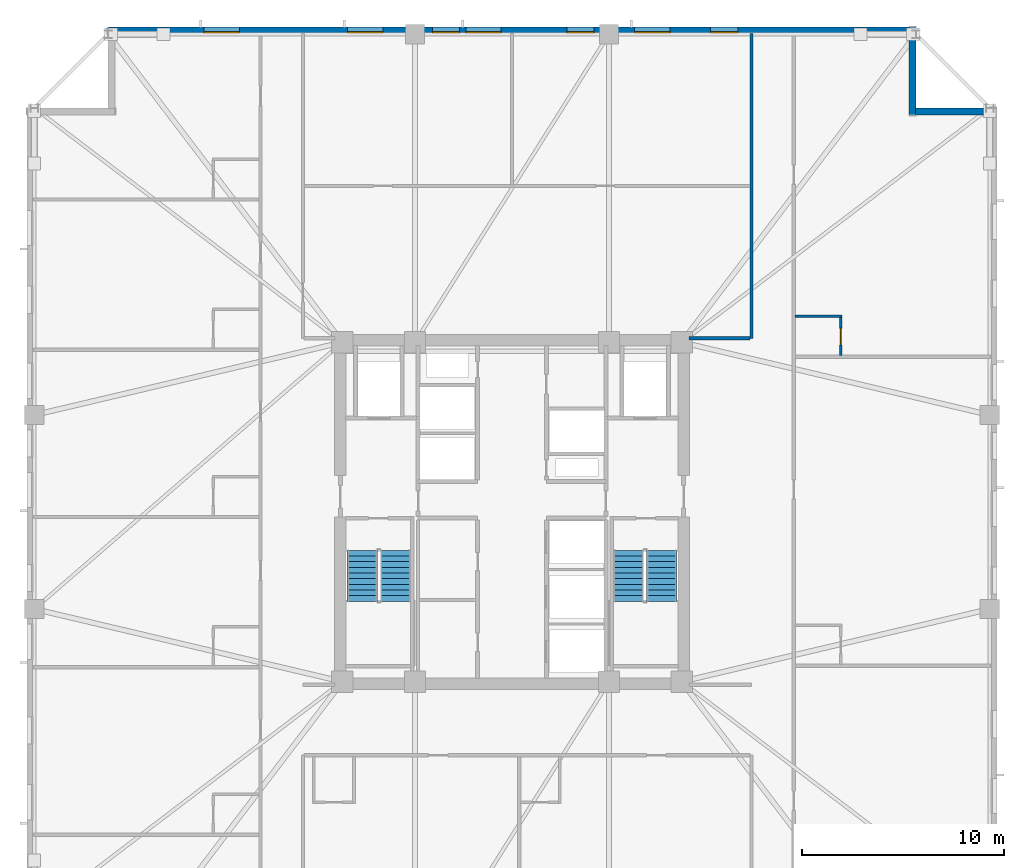
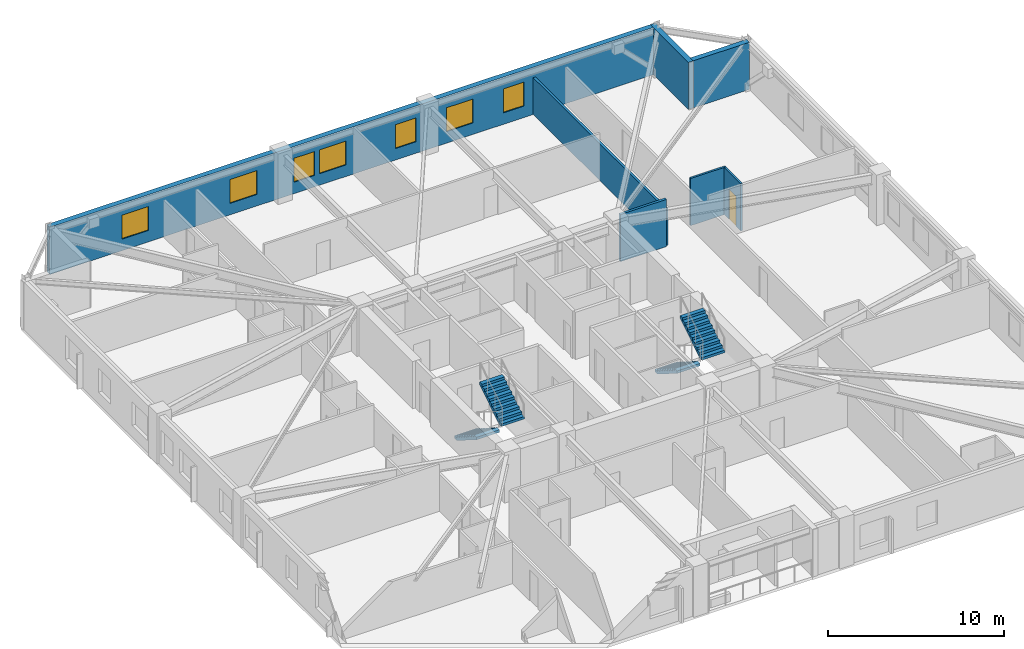
# One storey, part 6 of 11: 7 walls, 7 windows, 4 stair flights, 1 door, 8 openings, 2 elements without a shape of their own.
"""IFC4 building model written with IfcOpenShell, lengths in metres."""

import ifcopenshell
import ifcopenshell.guid

model = None  # the IFC model being written
_history = None  # IfcOwnerHistory: only IFC2X3 demands one
_inside = {}  # id of a spatial element -> (the spatial element, [elements in it])
_under = {}  # id of a project, library or spatial element -> (it, [spatial elements below it])
_declared = {}  # id of a project -> (the project, [libraries it declares])
_typed = {}  # id of a type object -> (the type object, [elements of that type])
_made_of = {}  # id of a material, layer set ... -> (it, [elements and type objects made of it])


def new_model(schema):
    """Start an empty IFC model of exactly this schema.

    Asked for "IFC4X3", IfcOpenShell would pick the latest addendum, in which some entities
    have other attributes; the version numbers below select the first issue.
    IFC2X3 requires an IfcOwnerHistory on every rooted entity: one is made here for all.
    """
    global model, _history
    if schema == "IFC4X3":
        model = ifcopenshell.file(schema_version=(4, 3, 0, 0))
    else:
        model = ifcopenshell.file(schema=schema)
    _inside.clear()
    _under.clear()
    _declared.clear()
    _typed.clear()
    _made_of.clear()
    _history = None
    if model.schema == "IFC2X3":
        org = make("IfcOrganization", Name="unknown")
        user = make(
            "IfcPersonAndOrganization",
            ThePerson=make("IfcPerson", FamilyName="unknown"),
            TheOrganization=org,
        )
        app = make(
            "IfcApplication",
            ApplicationDeveloper=org,
            Version="unknown",
            ApplicationFullName="unknown",
            ApplicationIdentifier="unknown",
        )
        _history = make(
            "IfcOwnerHistory",
            OwningUser=user,
            OwningApplication=app,
            ChangeAction="ADDED",
            CreationDate=0,
        )
    return model


def make(cls, **values):
    """One entity of the class cls with the attributes given. An attribute that is None is left unset."""
    return model.create_entity(
        cls, **{name: value for name, value in values.items() if value is not None}
    )


def rooted(cls, **values):
    """An entity with a GlobalId (a new one), such as an element, a storey or a relation."""
    return make(cls, GlobalId=ifcopenshell.guid.new(), OwnerHistory=_history, **values)


def si_unit(unit_type, name, prefix=None):
    """IfcSIUnit, for example si_unit("LENGTHUNIT", "METRE", prefix="MILLI")."""
    return make("IfcSIUnit", UnitType=unit_type, Prefix=prefix, Name=name)


def assignment(units):
    """IfcUnitAssignment: the units of a project."""
    return None if units is None else make("IfcUnitAssignment", Units=units)


def point(xyz):
    """IfcCartesianPoint."""
    return None if xyz is None else make("IfcCartesianPoint", Coordinates=xyz)


def direction(xyz):
    """IfcDirection."""
    return None if xyz is None else make("IfcDirection", DirectionRatios=xyz)


def frame(location, z_axis=None, x_axis=None):
    """IfcAxis2Placement3D, a coordinate frame: its origin and axes. An axis left out is left unset."""
    return make(
        "IfcAxis2Placement3D",
        Location=point(location),
        Axis=direction(z_axis),
        RefDirection=direction(x_axis),
    )


def frame_2d(location, x_axis=None):
    """IfcAxis2Placement2D, a coordinate frame in the plane: its origin and x axis."""
    return make(
        "IfcAxis2Placement2D", Location=point(location), RefDirection=direction(x_axis)
    )


def origin():
    """The frame at (0, 0, 0) with its axes left unset."""
    return frame((0.0, 0.0, 0.0))


def place(relative_to, where):
    """IfcLocalPlacement: puts the frame where relative to a parent placement (None: the world)."""
    return make(
        "IfcLocalPlacement", PlacementRelTo=relative_to, RelativePlacement=where
    )


def context(
    kind, dimensions, precision=None, world=None, true_north=None, identifier=None
):
    """IfcGeometricRepresentationContext, for example the 3D "Model" context."""
    return make(
        "IfcGeometricRepresentationContext",
        ContextIdentifier=identifier,
        ContextType=kind,
        CoordinateSpaceDimension=dimensions,
        Precision=precision,
        WorldCoordinateSystem=world,
        TrueNorth=true_north,
    )


def subcontext(parent, identifier, kind, view, scale=None):
    """IfcGeometricRepresentationSubContext, for example "Body" below "Model"."""
    return make(
        "IfcGeometricRepresentationSubContext",
        ContextIdentifier=identifier,
        ContextType=kind,
        ParentContext=parent,
        TargetScale=scale,
        TargetView=view,
    )


def project(units=None, contexts=None):
    """IfcProject with its units and contexts."""
    return rooted(
        "IfcProject",
        Name="project",
        RepresentationContexts=contexts,
        UnitsInContext=assignment(units),
    )


def spatial(cls, under=None, at=None, **own):
    """A site, building, storey or space (cls), placed at a placement, below another one or the project."""
    s = rooted(cls, ObjectPlacement=at, **own)
    if under is not None:
        _under.setdefault(under.id(), (under, []))[1].append(s)
    return s


def polyline(points):
    """IfcPolyline through the points."""
    return make("IfcPolyline", Points=[point(p) for p in points])


def profile(cls, at=None, kind="AREA", **sizes):
    """A parametric profile (cls). Its sizes go by their IFC names, for example OverallWidth=200.0."""
    return make(cls, ProfileType=kind, Position=at, **sizes)


def rectangle(**sizes):
    """IfcRectangleProfileDef."""
    return profile("IfcRectangleProfileDef", **sizes)


def outline(outer, holes=None, kind="AREA"):
    """IfcArbitraryClosedProfileDef: a profile drawn as a closed curve; with holes, ...WithVoids."""
    if holes is None:
        return make("IfcArbitraryClosedProfileDef", ProfileType=kind, OuterCurve=outer)
    return make(
        "IfcArbitraryProfileDefWithVoids",
        ProfileType=kind,
        OuterCurve=outer,
        InnerCurves=holes,
    )


def extrude(swept, where, along, depth):
    """IfcExtrudedAreaSolid: the profile swept, set in the frame where, extruded along a direction by depth."""
    return make(
        "IfcExtrudedAreaSolid",
        SweptArea=swept,
        Position=where,
        ExtrudedDirection=direction(along),
        Depth=depth,
    )


def shape(context_of_items, identifier, shape_type, items):
    """IfcShapeRepresentation: the items that make up one representation, for example the "Body"."""
    return make(
        "IfcShapeRepresentation",
        ContextOfItems=context_of_items,
        RepresentationIdentifier=identifier,
        RepresentationType=shape_type,
        Items=items,
    )


def material(Name=None, Category=None):
    """IfcMaterial."""
    return make("IfcMaterial", Name=Name, Category=Category)


def layer(
    of_material, thickness, ventilated=None, Name=None, Category=None, Priority=None
):
    """IfcMaterialLayer: one layer of a wall or slab, of a material (None: an air gap)."""
    return make(
        "IfcMaterialLayer",
        Material=of_material,
        LayerThickness=thickness,
        IsVentilated=ventilated,
        Name=Name,
        Category=Category,
        Priority=Priority,
    )


def layer_set(layers, Name=None):
    """IfcMaterialLayerSet."""
    return make("IfcMaterialLayerSet", MaterialLayers=layers, LayerSetName=Name)


def made_of(thing, what):
    """Note that an element or type object is made of a material, layer set ...; save() writes the relation."""
    if what is not None:
        _made_of.setdefault(what.id(), (what, []))[1].append(thing)
    return thing


def type_object(cls, material=None, **own):
    """A type object (cls), such as IfcWallType, which elements share."""
    return made_of(rooted(cls, **own), material)


def element(
    cls,
    number,
    at=None,
    inside=None,
    cuts=None,
    type_object=None,
    material=None,
    context=None,
    identifier="Body",
    shape_type=None,
    held_by="IfcProductDefinitionShape",
    body=None,
    shapes=None,
    **own,
):
    """One element of the class cls, such as IfcWall. Its Tag is "e" and its number.

    at: its placement. inside: the storey or other place that contains it. cuts: it is an
    opening in that element (IfcRelVoidsElement). A single representation is given by context,
    identifier, shape_type and body (its items); several are given by shapes. held_by: the class
    of the entity that holds the representations. save() writes the other relations.
    """
    e = rooted(cls, Tag="e%d" % number, ObjectPlacement=at, **own)
    if body is not None:
        shapes = [shape(context, identifier, shape_type, body)]
    if shapes is not None:
        e.Representation = make(held_by, Representations=shapes)
    if inside is not None:
        _inside.setdefault(inside.id(), (inside, []))[1].append(e)
    if cuts is not None:
        rooted(
            "IfcRelVoidsElement", RelatingBuildingElement=cuts, RelatedOpeningElement=e
        )
    if type_object is not None:
        _typed.setdefault(type_object.id(), (type_object, []))[1].append(e)
    return made_of(e, material)


def fill(opening, filler):
    """IfcRelFillsElement: the door or window that sits in an opening."""
    return rooted(
        "IfcRelFillsElement",
        RelatingOpeningElement=opening,
        RelatedBuildingElement=filler,
    )


def aggregate(whole, parts):
    """IfcRelAggregates: a whole, such as a stair, and the parts it consists of."""
    return rooted("IfcRelAggregates", RelatingObject=whole, RelatedObjects=parts)


def save(model, path):
    """Write the relations noted so far, then the file.

    IfcRelAggregates (storeys below a building ...), IfcRelContainedInSpatialStructure (elements
    in a storey), IfcRelDefinesByType, IfcRelAssociatesMaterial and IfcRelDeclares: one each for
    every whole, place, type object, material and project.
    """
    for whole, parts in _under.values():
        aggregate(whole, parts)
    for where, things in _inside.values():
        rooted(
            "IfcRelContainedInSpatialStructure",
            RelatedElements=things,
            RelatingStructure=where,
        )
    for kind, things in _typed.values():
        rooted("IfcRelDefinesByType", RelatedObjects=things, RelatingType=kind)
    for what, things in _made_of.values():
        rooted("IfcRelAssociatesMaterial", RelatedObjects=things, RelatingMaterial=what)
    for by, libraries in _declared.values():
        rooted("IfcRelDeclares", RelatingContext=by, RelatedDefinitions=libraries)
    model.write(path)


model = new_model("IFC4")

# Units and contexts
model_context = context("Model", 3, precision=1e-05, world=origin(), true_north=direction((0.0, 1.0)))
body_context = subcontext(model_context, "Body", "Model", "MODEL_VIEW")
ifc_project = project(units=[si_unit("LENGTHUNIT", "METRE"), si_unit("AREAUNIT", "SQUARE_METRE"), si_unit("VOLUMEUNIT", "CUBIC_METRE"), si_unit("PLANEANGLEUNIT", "RADIAN"), si_unit("MASSUNIT", "GRAM", prefix="KILO")], contexts=[model_context])

# Site, building, storey
site_placement = place(None, origin())
site = spatial("IfcSite", under=ifc_project, at=site_placement, CompositionType="ELEMENT")
building_placement = place(site_placement, origin())
building = spatial("IfcBuilding", under=site, at=building_placement, Name="Cairnveth Concourse Tower", CompositionType="ELEMENT")
storey_placement = place(building_placement, frame((0.0, 0.0, 151.5)))
storey = spatial("IfcBuildingStorey", under=building, at=storey_placement, Name="L41", CompositionType="ELEMENT", Elevation=151.5)

# Walls
ifc_material_1 = material(Name="Gypsum Plasterboard Partition", Category="gypsum")
ifc_layer_1 = layer(ifc_material_1, 0.159912109375)
ifc_layer_set_1 = layer_set([ifc_layer_1], Name="Gypsum Plasterboard Partition")
wall_type_1 = type_object("IfcWallType", Name="ACOUSTIC PARTY WALL 180", PredefinedType="PARTITIONING", material=ifc_layer_set_1)
wall_1_placement = place(storey_placement, frame((63.85009765625, 47.60009765625, 0.0), z_axis=(0.0, 0.0, 1.0), x_axis=(0.0, 1.0, 0.0)))
element("IfcWall", 1, at=wall_1_placement, inside=storey, type_object=wall_type_1, Name="Interior Wall IW-L41-043", PredefinedType="PARTITIONING", context=body_context, shape_type="SweptSolid", body=[
    extrude(rectangle(XDim=15.074951171875, YDim=0.159912109375, at=frame_2d((7.53759765625, 0.0))), origin(), (0.0, 0.0, 1.0), 2.554931640625),
])
wall_2_placement = place(storey_placement, frame((60.764892578125, 47.60009765625, 0.0), z_axis=(0.0, 0.0, 1.0), x_axis=(1.0, 0.0, 0.0)))
element("IfcWall", 2, at=wall_2_placement, inside=storey, type_object=wall_type_1, Name="Interior Wall IW-L41-045", PredefinedType="PARTITIONING", context=body_context, shape_type="SweptSolid", body=[
    extrude(rectangle(XDim=3.02001953125, YDim=0.159912109375, at=frame_2d((1.510009765625, 0.0))), origin(), (0.0, 0.0, 1.0), 3.280029296875),
])
ifc_layer_2 = layer(ifc_material_1, 0.1298828125)
ifc_layer_set_2 = layer_set([ifc_layer_2], Name="Gypsum Plasterboard Partition")
wall_type_2 = type_object("IfcWallType", Name="WET AREA PARTITION 140", PredefinedType="PLUMBINGWALL", material=ifc_layer_set_2)
wall_3_placement = place(storey_placement, frame((66.014892578125, 48.6845703125, 0.0), z_axis=(0.0, 0.0, 1.0), x_axis=(1.0, 0.0, 0.0)))
element("IfcWall", 3, at=wall_3_placement, inside=storey, type_object=wall_type_2, Name="Interior Wall IW-L41-080", PredefinedType="PLUMBINGWALL", context=body_context, shape_type="SweptSolid", body=[
    extrude(rectangle(XDim=2.315185546875, YDim=0.1298828125, at=frame_2d((1.15771484375, 0.0))), origin(), (0.0, 0.0, 1.0), 3.280029296875),
])

# Wall, opening, door
wall_4_placement = place(storey_placement, frame((68.280029296875, 46.74951171875, 0.0), z_axis=(0.0, 0.0, 1.0), x_axis=(0.0, 1.0, 0.0)))
wall_4 = element("IfcWall", 4, at=wall_4_placement, inside=storey, type_object=wall_type_2, Name="Interior Wall IW-L41-081", PredefinedType="PLUMBINGWALL", context=body_context, shape_type="SweptSolid", body=[
    extrude(rectangle(XDim=1.885009765625, YDim=0.1298828125, at=frame_2d((0.9423828125, 0.0))), origin(), (0.0, 0.0, 1.0), 3.280029296875),
])
opening_1_placement = place(wall_4_placement, frame((0.52490234375, 0.0, 0.0)))
opening_1 = element("IfcOpeningElement", 5, at=opening_1_placement, cuts=wall_4, Name="Opening ID22", PredefinedType="OPENING", context=body_context, shape_type="SweptSolid", body=[
    extrude(rectangle(XDim=0.820068359375, YDim=2.10009765625, at=frame_2d((0.41015625, 1.050048828125))), frame((0.0, 0.074951171875, 0.0), z_axis=(0.0, -1.0, 0.0), x_axis=(1.0, 0.0, 0.0)), (0.0, 0.0, 1.0), 0.14990234375),
])
ifc_material_2 = material(Name="Solid Core Hardwood Timber Leaf", Category="wood")
door_type = type_object("IfcDoorType", Name="INTERIOR WC DOOR 820X2100", OperationType="NOTDEFINED", PredefinedType="DOOR", material=ifc_material_2)
door_placement = place(opening_1_placement, origin())
door = element("IfcDoor", 6, at=door_placement, inside=storey, type_object=door_type, Name="En-Suite Door L41-E3", OperationType="SINGLE_SWING_RIGHT", OverallHeight=2.10009765625, OverallWidth=0.820068359375, PredefinedType="DOOR", context=body_context, shape_type="SweptSolid", body=[
    extrude(rectangle(XDim=0.820068359375, YDim=2.10009765625, at=frame_2d((0.41015625, 1.050048828125))), frame((0.0, 0.02490234375, 0.0), z_axis=(0.0, -1.0, 0.0), x_axis=(1.0, 0.0, 0.0)), (0.0, 0.0, 1.0), 0.050048828125),
])
fill(opening_1, door)

# Wall, openings, windows
ifc_material_3 = material(Name="Hawthorn Red-Ochre Fired Clay Brick Masonry", Category="masonry")
ifc_layer_3 = layer(ifc_material_3, 0.340087890625)
ifc_layer_set_3 = layer_set([ifc_layer_3], Name="Hawthorn Red-Ochre Fired Clay Brick Masonry")
wall_type_3 = type_object("IfcWallType", Name="ZONE 2 BRICK PIER SPANDREL WALL 340", PredefinedType="SOLIDWALL", material=ifc_layer_set_3)
wall_5_placement = place(storey_placement, frame((32.0, 62.830078125, 0.0), z_axis=(0.0, 0.0, 1.0), x_axis=(1.0, 0.0, 0.0)))
wall_5 = element("IfcWall", 7, at=wall_5_placement, inside=storey, type_object=wall_type_3, Name="Exterior Wall EW-L41-S06", PredefinedType="SOLIDWALL", context=body_context, shape_type="SweptSolid", body=[
    extrude(rectangle(XDim=39.681884765625, YDim=0.340087890625, at=frame_2d((19.8408203125, 0.0))), origin(), (0.0, 0.0, 1.0), 3.280029296875),
])
opening_2_placement = place(wall_5_placement, frame((4.751708984375, 0.0, 0.800048828125)))
opening_2 = element("IfcOpeningElement", 8, at=opening_2_placement, cuts=wall_5, Name="Opening W06", PredefinedType="OPENING", context=body_context, shape_type="SweptSolid", body=[
    extrude(rectangle(XDim=1.75, YDim=1.659912109375, at=frame_2d((0.875, 0.830078125))), frame((0.0, 0.179931640625, 0.0), z_axis=(0.0, -1.0, 0.0), x_axis=(1.0, 0.0, 0.0)), (0.0, 0.0, 1.0), 0.360107421875),
])
opening_3_placement = place(wall_5_placement, frame((11.85888671875, 0.0, 0.800048828125)))
opening_3 = element("IfcOpeningElement", 9, at=opening_3_placement, cuts=wall_5, Name="Opening W06", PredefinedType="OPENING", context=body_context, shape_type="SweptSolid", body=[
    extrude(rectangle(XDim=1.75, YDim=1.659912109375, at=frame_2d((0.875, 0.830078125))), frame((0.0, 0.179931640625, 0.0), z_axis=(0.0, -1.0, 0.0), x_axis=(1.0, 0.0, 0.0)), (0.0, 0.0, 1.0), 0.360107421875),
])
opening_4_placement = place(wall_5_placement, frame((16.0625, 0.0, 0.800048828125)))
opening_4 = element("IfcOpeningElement", 10, at=opening_4_placement, cuts=wall_5, Name="Opening W02", PredefinedType="OPENING", context=body_context, shape_type="SweptSolid", body=[
    extrude(rectangle(XDim=1.35009765625, YDim=1.659912109375, at=frame_2d((0.675048828125, 0.830078125))), frame((0.0, 0.179931640625, 0.0), z_axis=(0.0, -1.0, 0.0), x_axis=(1.0, 0.0, 0.0)), (0.0, 0.0, 1.0), 0.360107421875),
])
opening_5_placement = place(wall_5_placement, frame((17.716064453125, 0.0, 0.800048828125)))
opening_5 = element("IfcOpeningElement", 11, at=opening_5_placement, cuts=wall_5, Name="Opening W06", PredefinedType="OPENING", context=body_context, shape_type="SweptSolid", body=[
    extrude(rectangle(XDim=1.75, YDim=1.659912109375, at=frame_2d((0.875, 0.830078125))), frame((0.0, 0.179931640625, 0.0), z_axis=(0.0, -1.0, 0.0), x_axis=(1.0, 0.0, 0.0)), (0.0, 0.0, 1.0), 0.360107421875),
])
opening_6_placement = place(wall_5_placement, frame((22.719482421875, 0.0, 0.800048828125)))
opening_6 = element("IfcOpeningElement", 12, at=opening_6_placement, cuts=wall_5, Name="Opening W02", PredefinedType="OPENING", context=body_context, shape_type="SweptSolid", body=[
    extrude(rectangle(XDim=1.35009765625, YDim=1.659912109375, at=frame_2d((0.675048828125, 0.830078125))), frame((0.0, 0.179931640625, 0.0), z_axis=(0.0, -1.0, 0.0), x_axis=(1.0, 0.0, 0.0)), (0.0, 0.0, 1.0), 0.360107421875),
])
opening_7_placement = place(wall_5_placement, frame((26.072998046875, 0.0, 0.800048828125)))
opening_7 = element("IfcOpeningElement", 13, at=opening_7_placement, cuts=wall_5, Name="Opening W06", PredefinedType="OPENING", context=body_context, shape_type="SweptSolid", body=[
    extrude(rectangle(XDim=1.75, YDim=1.659912109375, at=frame_2d((0.875, 0.830078125))), frame((0.0, 0.179931640625, 0.0), z_axis=(0.0, -1.0, 0.0), x_axis=(1.0, 0.0, 0.0)), (0.0, 0.0, 1.0), 0.360107421875),
])
opening_8_placement = place(wall_5_placement, frame((29.82666015625, 0.0, 0.800048828125)))
opening_8 = element("IfcOpeningElement", 14, at=opening_8_placement, cuts=wall_5, Name="Opening W02", PredefinedType="OPENING", context=body_context, shape_type="SweptSolid", body=[
    extrude(rectangle(XDim=1.35009765625, YDim=1.659912109375, at=frame_2d((0.675048828125, 0.830078125))), frame((0.0, 0.179931640625, 0.0), z_axis=(0.0, -1.0, 0.0), x_axis=(1.0, 0.0, 0.0)), (0.0, 0.0, 1.0), 0.360107421875),
])
ifc_material_4 = material(Name="Double Glazed Low-E Clear Glass", Category="glass")
window_type_1 = type_object("IfcWindowType", Name="DEEP-SET GOTHIC LANCET WINDOW 1350X1800", PartitioningType="DOUBLE_PANEL_VERTICAL", PredefinedType="WINDOW", material=ifc_material_4)
window_1_placement = place(opening_4_placement, origin())
window_1 = element("IfcWindow", 15, at=window_1_placement, inside=storey, type_object=window_type_1, Name="Gothic Lancet Window L41-6-4", OverallHeight=1.659912109375, OverallWidth=1.35009765625, PartitioningType="SINGLE_PANEL", PredefinedType="WINDOW", context=body_context, shape_type="SweptSolid", body=[
    extrude(rectangle(XDim=1.35009765625, YDim=1.659912109375, at=frame_2d((0.675048828125, 0.830078125))), frame((0.0, -0.050048828125, 0.0), z_axis=(0.0, -1.0, 0.0), x_axis=(1.0, 0.0, 0.0)), (0.0, 0.0, 1.0), 0.06005859375),
])
fill(opening_4, window_1)
window_2_placement = place(opening_6_placement, origin())
window_2 = element("IfcWindow", 16, at=window_2_placement, inside=storey, type_object=window_type_1, Name="Gothic Lancet Window L41-6-6", OverallHeight=1.659912109375, OverallWidth=1.35009765625, PartitioningType="SINGLE_PANEL", PredefinedType="WINDOW", context=body_context, shape_type="SweptSolid", body=[
    extrude(rectangle(XDim=1.35009765625, YDim=1.659912109375, at=frame_2d((0.675048828125, 0.830078125))), frame((0.0, -0.050048828125, 0.0), z_axis=(0.0, -1.0, 0.0), x_axis=(1.0, 0.0, 0.0)), (0.0, 0.0, 1.0), 0.06005859375),
])
fill(opening_6, window_2)
window_3_placement = place(opening_8_placement, origin())
window_3 = element("IfcWindow", 17, at=window_3_placement, inside=storey, type_object=window_type_1, Name="Gothic Lancet Window L41-6-8", OverallHeight=1.659912109375, OverallWidth=1.35009765625, PartitioningType="SINGLE_PANEL", PredefinedType="WINDOW", context=body_context, shape_type="SweptSolid", body=[
    extrude(rectangle(XDim=1.35009765625, YDim=1.659912109375, at=frame_2d((0.675048828125, 0.830078125))), frame((0.0, -0.050048828125, 0.0), z_axis=(0.0, -1.0, 0.0), x_axis=(1.0, 0.0, 0.0)), (0.0, 0.0, 1.0), 0.06005859375),
])
fill(opening_8, window_3)
window_type_2 = type_object("IfcWindowType", Name="DEEP-SET HOTEL SUITE WINDOW 1750X1800", PartitioningType="DOUBLE_PANEL_VERTICAL", PredefinedType="WINDOW", material=ifc_material_4)
window_4_placement = place(opening_2_placement, origin())
window_4 = element("IfcWindow", 18, at=window_4_placement, inside=storey, type_object=window_type_2, Name="Gothic Lancet Window L41-6-1", OverallHeight=1.659912109375, OverallWidth=1.75, PartitioningType="SINGLE_PANEL", PredefinedType="WINDOW", context=body_context, shape_type="SweptSolid", body=[
    extrude(rectangle(XDim=1.75, YDim=1.659912109375, at=frame_2d((0.875, 0.830078125))), frame((0.0, -0.050048828125, 0.0), z_axis=(0.0, -1.0, 0.0), x_axis=(1.0, 0.0, 0.0)), (0.0, 0.0, 1.0), 0.06005859375),
])
fill(opening_2, window_4)
window_5_placement = place(opening_3_placement, origin())
window_5 = element("IfcWindow", 19, at=window_5_placement, inside=storey, type_object=window_type_2, Name="Gothic Lancet Window L41-6-3", OverallHeight=1.659912109375, OverallWidth=1.75, PartitioningType="SINGLE_PANEL", PredefinedType="WINDOW", context=body_context, shape_type="SweptSolid", body=[
    extrude(rectangle(XDim=1.75, YDim=1.659912109375, at=frame_2d((0.875, 0.830078125))), frame((0.0, -0.050048828125, 0.0), z_axis=(0.0, -1.0, 0.0), x_axis=(1.0, 0.0, 0.0)), (0.0, 0.0, 1.0), 0.06005859375),
])
fill(opening_3, window_5)
window_6_placement = place(opening_5_placement, origin())
window_6 = element("IfcWindow", 20, at=window_6_placement, inside=storey, type_object=window_type_2, Name="Gothic Lancet Window L41-6-5", OverallHeight=1.659912109375, OverallWidth=1.75, PartitioningType="SINGLE_PANEL", PredefinedType="WINDOW", context=body_context, shape_type="SweptSolid", body=[
    extrude(rectangle(XDim=1.75, YDim=1.659912109375, at=frame_2d((0.875, 0.830078125))), frame((0.0, -0.050048828125, 0.0), z_axis=(0.0, -1.0, 0.0), x_axis=(1.0, 0.0, 0.0)), (0.0, 0.0, 1.0), 0.06005859375),
])
fill(opening_5, window_6)
window_7_placement = place(opening_7_placement, origin())
window_7 = element("IfcWindow", 21, at=window_7_placement, inside=storey, type_object=window_type_2, Name="Gothic Lancet Window L41-6-7", OverallHeight=1.659912109375, OverallWidth=1.75, PartitioningType="SINGLE_PANEL", PredefinedType="WINDOW", context=body_context, shape_type="SweptSolid", body=[
    extrude(rectangle(XDim=1.75, YDim=1.659912109375, at=frame_2d((0.875, 0.830078125))), frame((0.0, -0.050048828125, 0.0), z_axis=(0.0, -1.0, 0.0), x_axis=(1.0, 0.0, 0.0)), (0.0, 0.0, 1.0), 0.06005859375),
])
fill(opening_7, window_7)

# Walls
wall_6_placement = place(storey_placement, frame((71.830078125, 63.0, 0.0), z_axis=(0.0, 0.0, 1.0), x_axis=(0.0, -1.0, 0.0)))
element("IfcWall", 22, at=wall_6_placement, inside=storey, type_object=wall_type_3, Name="Exterior Wall EW-L41-S07", PredefinedType="SOLIDWALL", context=body_context, shape_type="SweptSolid", body=[
    extrude(rectangle(XDim=4.340087890625, YDim=0.340087890625, at=frame_2d((2.169921875, 0.0))), origin(), (0.0, 0.0, 1.0), 3.280029296875),
])
wall_7_placement = place(storey_placement, frame((71.97802734375, 58.830078125, 0.0), z_axis=(0.0, 0.0, 1.0), x_axis=(1.0, 0.0, 0.0)))
element("IfcWall", 23, at=wall_7_placement, inside=storey, type_object=wall_type_3, Name="Exterior Wall EW-L41-S08", PredefinedType="SOLIDWALL", context=body_context, shape_type="SweptSolid", body=[
    extrude(rectangle(XDim=3.703857421875, YDim=0.340087890625, at=frame_2d((1.85205078125, 0.0))), origin(), (0.0, 0.0, 1.0), 3.280029296875),
])

# Stair, stair flights
ifc_material_5 = material(Name="Precast concrete N50 (50 MPa)", Category="concrete")
stair_type = type_object("IfcStairType", Name="CORE DOG-LEG FIRE STAIR 1500", PredefinedType="HALF_TURN_STAIR", material=ifc_material_5)
stair_1_placement = place(storey_placement, origin())
stair_1 = element("IfcStair", 24, at=stair_1_placement, inside=storey, type_object=stair_type, Name="L41 Fire-Isolated Stair ST-1", PredefinedType="HALF_TURN_STAIR")
stair_flight_type = type_object("IfcStairFlightType", Name="PRECAST CONCRETE STAIR FLIGHT 1500", PredefinedType="STRAIGHT", material=ifc_material_5)
stair_flight_1_placement = place(storey_placement, frame((44.590087890625, 37.10009765625, 0.0), z_axis=(0.0, 0.0, 1.0), x_axis=(0.0, -1.0, 0.0)))
stair_flight_1 = element("IfcStairFlight", 25, at=stair_flight_1_placement, type_object=stair_flight_type, Name="ST-1 flight 1", NumberOfRisers=10, NumberOfTreads=9, PredefinedType="STRAIGHT", RiserHeight=0.175, TreadLength=0.28, context=body_context, shape_type="SweptSolid", body=[
    extrude(outline(polyline([(0.0, 0.0), (0.0, 0.175048828125), (0.280029296875, 0.175048828125), (0.280029296875, 0.35009765625), (0.56005859375, 0.35009765625), (0.56005859375, 0.52490234375), (0.840087890625, 0.52490234375), (0.840087890625, 0.699951171875), (1.1201171875, 0.699951171875), (1.1201171875, 0.875), (1.39990234375, 0.875), (1.39990234375, 1.050048828125), (1.679931640625, 1.050048828125), (1.679931640625, 1.22509765625), (1.9599609375, 1.22509765625), (1.9599609375, 1.39990234375), (2.239990234375, 1.39990234375), (2.239990234375, 1.574951171875), (2.52001953125, 1.574951171875), (2.52001953125, 1.75), (2.52001953125, 1.398193359375), (0.28271484375, 0.0), (0.0, 0.0)])), frame((0.0, 0.75, 0.0), z_axis=(0.0, -1.0, 0.0), x_axis=(1.0, 0.0, 0.0)), (0.0, 0.0, 1.0), 1.5),
])
stair_flight_2_placement = place(storey_placement, frame((46.22998046875, 34.580078125, 1.75), z_axis=(0.0, 0.0, 1.0), x_axis=(0.0, 1.0, 0.0)))
stair_flight_2 = element("IfcStairFlight", 26, at=stair_flight_2_placement, type_object=stair_flight_type, Name="ST-1 flight 2", NumberOfRisers=10, NumberOfTreads=9, PredefinedType="STRAIGHT", RiserHeight=0.175, TreadLength=0.28, context=body_context, shape_type="SweptSolid", body=[
    extrude(outline(polyline([(0.0, 0.0), (0.0, 0.175048828125), (0.280029296875, 0.175048828125), (0.280029296875, 0.35009765625), (0.56005859375, 0.35009765625), (0.56005859375, 0.52490234375), (0.840087890625, 0.52490234375), (0.840087890625, 0.699951171875), (1.1201171875, 0.699951171875), (1.1201171875, 0.875), (1.39990234375, 0.875), (1.39990234375, 1.050048828125), (1.679931640625, 1.050048828125), (1.679931640625, 1.22509765625), (1.9599609375, 1.22509765625), (1.9599609375, 1.39990234375), (2.239990234375, 1.39990234375), (2.239990234375, 1.574951171875), (2.52001953125, 1.574951171875), (2.52001953125, 1.75), (2.52001953125, 1.398193359375), (0.28271484375, 0.0), (0.0, 0.0)])), frame((0.0, 0.75, 0.0), z_axis=(0.0, -1.0, 0.0), x_axis=(1.0, 0.0, 0.0)), (0.0, 0.0, 1.0), 1.5),
])
aggregate(stair_1, [stair_flight_1, stair_flight_2])

stair_2_placement = place(storey_placement, origin())
stair_2 = element("IfcStair", 27, at=stair_2_placement, inside=storey, type_object=stair_type, Name="L41 Fire-Isolated Stair ST-2", PredefinedType="HALF_TURN_STAIR")
stair_flight_3_placement = place(storey_placement, frame((57.77001953125, 37.10009765625, 0.0), z_axis=(0.0, 0.0, 1.0), x_axis=(0.0, -1.0, 0.0)))
stair_flight_3 = element("IfcStairFlight", 28, at=stair_flight_3_placement, type_object=stair_flight_type, Name="ST-2 flight 1", NumberOfRisers=10, NumberOfTreads=9, PredefinedType="STRAIGHT", RiserHeight=0.175, TreadLength=0.28, context=body_context, shape_type="SweptSolid", body=[
    extrude(outline(polyline([(0.0, 0.0), (0.0, 0.175048828125), (0.280029296875, 0.175048828125), (0.280029296875, 0.35009765625), (0.56005859375, 0.35009765625), (0.56005859375, 0.52490234375), (0.840087890625, 0.52490234375), (0.840087890625, 0.699951171875), (1.1201171875, 0.699951171875), (1.1201171875, 0.875), (1.39990234375, 0.875), (1.39990234375, 1.050048828125), (1.679931640625, 1.050048828125), (1.679931640625, 1.22509765625), (1.9599609375, 1.22509765625), (1.9599609375, 1.39990234375), (2.239990234375, 1.39990234375), (2.239990234375, 1.574951171875), (2.52001953125, 1.574951171875), (2.52001953125, 1.75), (2.52001953125, 1.398193359375), (0.28271484375, 0.0), (0.0, 0.0)])), frame((0.0, 0.75, 0.0), z_axis=(0.0, -1.0, 0.0), x_axis=(1.0, 0.0, 0.0)), (0.0, 0.0, 1.0), 1.5),
])
stair_flight_4_placement = place(storey_placement, frame((59.409912109375, 34.580078125, 1.75), z_axis=(0.0, 0.0, 1.0), x_axis=(0.0, 1.0, 0.0)))
stair_flight_4 = element("IfcStairFlight", 29, at=stair_flight_4_placement, type_object=stair_flight_type, Name="ST-2 flight 2", NumberOfRisers=10, NumberOfTreads=9, PredefinedType="STRAIGHT", RiserHeight=0.175, TreadLength=0.28, context=body_context, shape_type="SweptSolid", body=[
    extrude(outline(polyline([(0.0, 0.0), (0.0, 0.175048828125), (0.280029296875, 0.175048828125), (0.280029296875, 0.35009765625), (0.56005859375, 0.35009765625), (0.56005859375, 0.52490234375), (0.840087890625, 0.52490234375), (0.840087890625, 0.699951171875), (1.1201171875, 0.699951171875), (1.1201171875, 0.875), (1.39990234375, 0.875), (1.39990234375, 1.050048828125), (1.679931640625, 1.050048828125), (1.679931640625, 1.22509765625), (1.9599609375, 1.22509765625), (1.9599609375, 1.39990234375), (2.239990234375, 1.39990234375), (2.239990234375, 1.574951171875), (2.52001953125, 1.574951171875), (2.52001953125, 1.75), (2.52001953125, 1.398193359375), (0.28271484375, 0.0), (0.0, 0.0)])), frame((0.0, 0.75, 0.0), z_axis=(0.0, -1.0, 0.0), x_axis=(1.0, 0.0, 0.0)), (0.0, 0.0, 1.0), 1.5),
])
aggregate(stair_2, [stair_flight_3, stair_flight_4])

save(model, "model.ifc")
